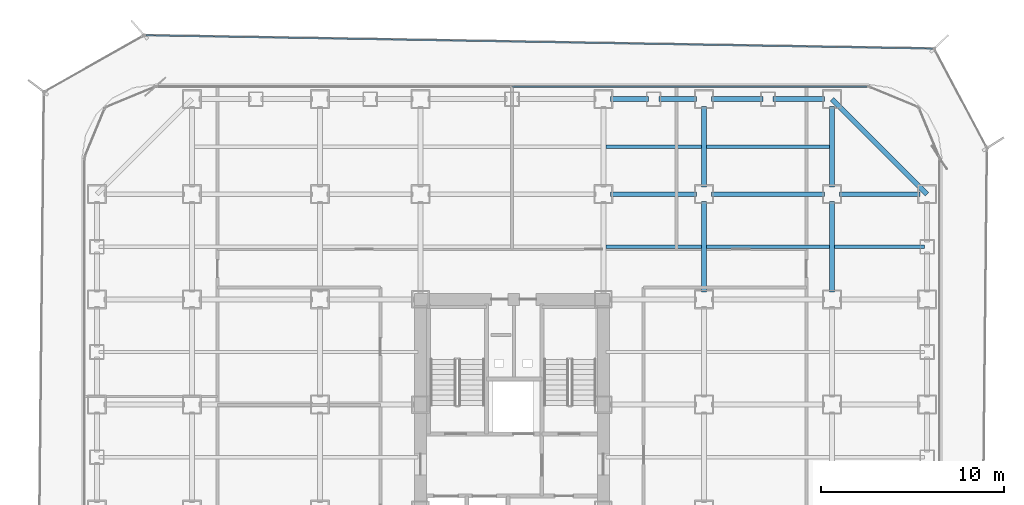
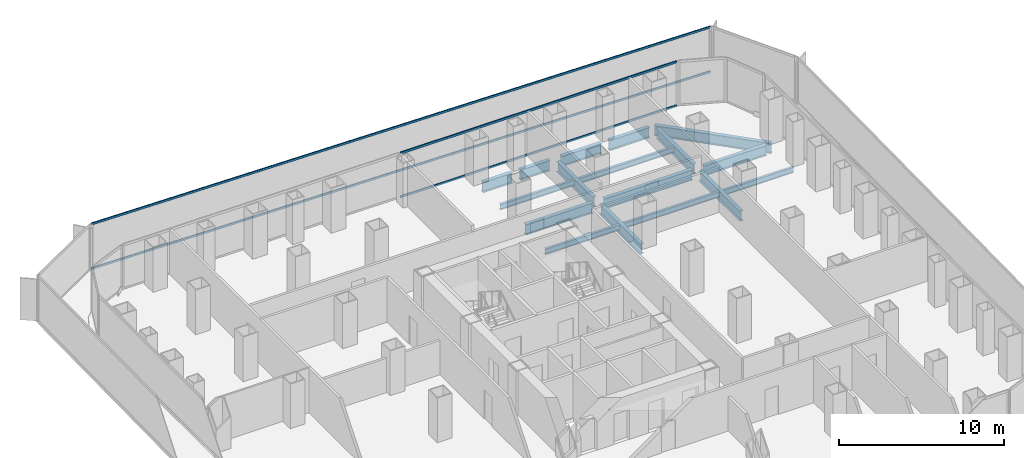
# One storey, part 14 of 21: 17 beams, 4 members, 2 elements without a shape of their own.
"""IFC4 building model written with IfcOpenShell, lengths in metres."""

from ifc_helpers import new_model, si_unit, direction, frame, origin, origin_2d, place, context, subcontext, project, spatial, hollow_rectangle, i_section, extrude, source, transform, mapped, material, layer, layer_set, material_profile, profile_set, type_object, element, aggregate, save


model = new_model("IFC4")

# Units and contexts
model_context = context("Model", 3, precision=1e-05, world=origin(), true_north=direction((0.0, 1.0)))
body_context = subcontext(model_context, "Body", "Model", "MODEL_VIEW")
ifc_project = project(units=[si_unit("LENGTHUNIT", "METRE"), si_unit("AREAUNIT", "SQUARE_METRE"), si_unit("VOLUMEUNIT", "CUBIC_METRE"), si_unit("PLANEANGLEUNIT", "RADIAN"), si_unit("MASSUNIT", "GRAM", prefix="KILO")], contexts=[model_context])

# Site, building, storey
site_placement = place(None, origin())
site = spatial("IfcSite", under=ifc_project, at=site_placement, CompositionType="ELEMENT")
building_placement = place(site_placement, origin())
building = spatial("IfcBuilding", under=site, at=building_placement, Name="Kolveth Station Tower", CompositionType="ELEMENT")
storey_placement = place(building_placement, frame((0.0, 0.0, 40.5)))
storey = spatial("IfcBuildingStorey", under=building, at=storey_placement, Name="L10", CompositionType="ELEMENT", Elevation=40.5)

# Beams
ifc_material_1 = material(Name="Steel S355", Category="steel")
ifc_material_profile_1 = material_profile(ifc_material_1, i_section(OverallWidth=0.26904296875, OverallDepth=0.77490234375, WebThickness=0.01708984375, FlangeThickness=0.0283203125, at=origin_2d()), Name="W760x220")
ifc_profile_set_1 = profile_set([ifc_material_profile_1], Name="Steel S355")
beam_type_1 = type_object("IfcBeamType", Name="Beam_SP1", PredefinedType="SPANDREL", material=ifc_profile_set_1)
shared_shape_1 = source(origin(), body_context, "Body", "SweptSolid", [
    extrude(i_section(OverallWidth=0.26904296875, OverallDepth=0.77490234375, WebThickness=0.01708984375, FlangeThickness=0.0283203125, at=origin_2d()), origin(), (0.0, 0.0, 1.0), 7.353759765625),
])
beam_1_placement = place(storey_placement, frame((46.199951171875, 34.5, -0.66748046875), z_axis=(-0.707106781187, 0.707106781187, 0.0), x_axis=(-0.707106781187, -0.707106781187, 0.0)))
element("IfcBeam", 1, at=beam_1_placement, inside=storey, type_object=beam_type_1, Name="L10 Corner Edge Girder BM-L10-CNR-NE", PredefinedType="SPANDREL", context=body_context, shape_type="MappedRepresentation", body=[
    mapped(shared_shape_1, transform((0.0, 0.0, 0.0), x_axis=(1.0, 0.0, 0.0), y_axis=(0.0, 1.0, 0.0), z_axis=(0.0, 0.0, 1.0), scale=1.0)),
])
shared_shape_2 = source(origin(), body_context, "Body", "SweptSolid", [
    extrude(i_section(OverallWidth=0.26904296875, OverallDepth=0.77490234375, WebThickness=0.01708984375, FlangeThickness=0.0283203125, at=origin_2d()), origin(), (0.0, 0.0, 1.0), 2.820068359375),
])
for number, where, z_axis, x_axis, name in (
    (2, (34.39990234375, 39.699951171875, -0.66748046875), (1.0, 0.0, 0.0), (0.0, 1.0, 0.0), "L10 Perimeter Spandrel BM-L10-PN-9"),
    (3, (37.780029296875, 39.699951171875, -0.66748046875), (1.0, 0.0, 0.0), (0.0, 1.0, 0.0), "L10 Perimeter Spandrel BM-L10-PN-10"),
):
    element("IfcBeam", number, at=place(storey_placement, frame(where, z_axis=z_axis, x_axis=x_axis)), inside=storey, type_object=beam_type_1, Name=name, PredefinedType="SPANDREL", context=body_context, shape_type="MappedRepresentation", body=[
        mapped(shared_shape_2, transform((0.0, 0.0, 0.0), x_axis=(1.0, 0.0, 0.0), y_axis=(0.0, 1.0, 0.0), z_axis=(0.0, 0.0, 1.0), scale=1.0)),
    ])
shared_shape_3 = source(origin(), body_context, "Body", "SweptSolid", [
    extrude(i_section(OverallWidth=0.26904296875, OverallDepth=0.77490234375, WebThickness=0.01708984375, FlangeThickness=0.0283203125, at=origin_2d()), origin(), (0.0, 0.0, 1.0), 2.070068359375),
])
for number, where, z_axis, x_axis, name in (
    (4, (28.89990234375, 39.699951171875, -0.66748046875), (1.0, 0.0, 0.0), (0.0, 1.0, 0.0), "L10 Perimeter Spandrel BM-L10-PN-7"),
    (5, (31.530029296875, 39.699951171875, -0.66748046875), (1.0, 0.0, 0.0), (0.0, 1.0, 0.0), "L10 Perimeter Spandrel BM-L10-PN-8"),
):
    element("IfcBeam", number, at=place(storey_placement, frame(where, z_axis=z_axis, x_axis=x_axis)), inside=storey, type_object=beam_type_1, Name=name, PredefinedType="SPANDREL", context=body_context, shape_type="MappedRepresentation", body=[
        mapped(shared_shape_3, transform((0.0, 0.0, 0.0), x_axis=(1.0, 0.0, 0.0), y_axis=(0.0, 1.0, 0.0), z_axis=(0.0, 0.0, 1.0), scale=1.0)),
    ])
ifc_material_profile_2 = material_profile(ifc_material_1, i_section(OverallWidth=0.26708984375, OverallDepth=0.76611328125, WebThickness=0.014892578125, FlangeThickness=0.023681640625, at=origin_2d()), Name="W760x185")
ifc_profile_set_2 = profile_set([ifc_material_profile_2], Name="Steel S355")
beam_type_2 = type_object("IfcBeamType", Name="Beam_B3", PredefinedType="BEAM", material=ifc_profile_set_2)
shared_shape_4 = source(origin(), body_context, "Body", "SweptSolid", [
    extrude(i_section(OverallWidth=0.26708984375, OverallDepth=0.76611328125, WebThickness=0.014892578125, FlangeThickness=0.023681640625, at=origin_2d()), origin(), (0.0, 0.0, 1.0), 4.400146484375),
])
for number, where, z_axis, x_axis, name in (
    (6, (41.39990234375, 34.5, -0.6630859375), (1.0, 0.0, 0.0), (0.0, 1.0, 0.0), "L10 Primary Girder BM-L10-GY345-7"),
    (7, (34.0, 34.89990234375, -0.6630859375), (0.0, 1.0, 0.0), (-1.0, 0.0, 0.0), "L10 Primary Girder BM-L10-GX340-7"),
    (8, (41.0, 34.89990234375, -0.6630859375), (0.0, 1.0, 0.0), (-1.0, 0.0, 0.0), "L10 Primary Girder BM-L10-GX410-7"),
):
    element("IfcBeam", number, at=place(storey_placement, frame(where, z_axis=z_axis, x_axis=x_axis)), inside=storey, type_object=beam_type_2, Name=name, PredefinedType="BEAM", context=body_context, shape_type="MappedRepresentation", body=[
        mapped(shared_shape_4, transform((0.0, 0.0, 0.0), x_axis=(1.0, 0.0, 0.0), y_axis=(0.0, 1.0, 0.0), z_axis=(0.0, 0.0, 1.0), scale=1.0)),
    ])
shared_shape_5 = source(origin(), body_context, "Body", "SweptSolid", [
    extrude(i_section(OverallWidth=0.26708984375, OverallDepth=0.76611328125, WebThickness=0.014892578125, FlangeThickness=0.023681640625, at=origin_2d()), origin(), (0.0, 0.0, 1.0), 6.2001953125),
])
beam_2_placement = place(storey_placement, frame((34.39990234375, 34.5, -0.6630859375), z_axis=(1.0, 0.0, 0.0), x_axis=(0.0, 1.0, 0.0)))
element("IfcBeam", 9, at=beam_2_placement, inside=storey, type_object=beam_type_2, Name="L10 Primary Girder BM-L10-GY345-6", PredefinedType="BEAM", context=body_context, shape_type="MappedRepresentation", body=[
    mapped(shared_shape_5, transform((0.0, 0.0, 0.0), x_axis=(1.0, 0.0, 0.0), y_axis=(0.0, 1.0, 0.0), z_axis=(0.0, 0.0, 1.0), scale=1.0)),
])
shared_shape_6 = source(origin(), body_context, "Body", "SweptSolid", [
    extrude(i_section(OverallWidth=0.26708984375, OverallDepth=0.76611328125, WebThickness=0.014892578125, FlangeThickness=0.023681640625, at=origin_2d()), origin(), (0.0, 0.0, 1.0), 4.7001953125),
])
beam_3_placement = place(storey_placement, frame((28.89990234375, 34.5, -0.6630859375), z_axis=(1.0, 0.0, 0.0), x_axis=(0.0, 1.0, 0.0)))
element("IfcBeam", 10, at=beam_3_placement, inside=storey, type_object=beam_type_2, Name="L10 Primary Girder BM-L10-GY345-5", PredefinedType="BEAM", context=body_context, shape_type="MappedRepresentation", body=[
    mapped(shared_shape_6, transform((0.0, 0.0, 0.0), x_axis=(1.0, 0.0, 0.0), y_axis=(0.0, 1.0, 0.0), z_axis=(0.0, 0.0, 1.0), scale=1.0)),
])
shared_shape_7 = source(origin(), body_context, "Body", "SweptSolid", [
    extrude(i_section(OverallWidth=0.26708984375, OverallDepth=0.76611328125, WebThickness=0.014892578125, FlangeThickness=0.023681640625, at=origin_2d()), origin(), (0.0, 0.0, 1.0), 4.9501953125),
])
for number, where, z_axis, x_axis, name in (
    (11, (34.0, 29.14990234375, -0.6630859375), (0.0, 1.0, 0.0), (-1.0, 0.0, 0.0), "L10 Primary Girder BM-L10-GX340-6"),
    (12, (41.0, 29.14990234375, -0.6630859375), (0.0, 1.0, 0.0), (-1.0, 0.0, 0.0), "L10 Primary Girder BM-L10-GX410-6"),
):
    element("IfcBeam", number, at=place(storey_placement, frame(where, z_axis=z_axis, x_axis=x_axis)), inside=storey, type_object=beam_type_2, Name=name, PredefinedType="BEAM", context=body_context, shape_type="MappedRepresentation", body=[
        mapped(shared_shape_7, transform((0.0, 0.0, 0.0), x_axis=(1.0, 0.0, 0.0), y_axis=(0.0, 1.0, 0.0), z_axis=(0.0, 0.0, 1.0), scale=1.0)),
    ])
ifc_material_profile_3 = material_profile(ifc_material_1, i_section(OverallWidth=0.177978515625, OverallDepth=0.406982421875, WebThickness=0.0078125, FlangeThickness=0.0126953125, at=origin_2d()), Name="W410x60")
ifc_profile_set_3 = profile_set([ifc_material_profile_3], Name="Steel S355")
beam_type_3 = type_object("IfcBeamType", Name="Beam_J1", PredefinedType="JOIST", material=ifc_profile_set_3)
shared_shape_8 = source(origin(), body_context, "Body", "SweptSolid", [
    extrude(i_section(OverallWidth=0.177978515625, OverallDepth=0.406982421875, WebThickness=0.0078125, FlangeThickness=0.0126953125, at=origin_2d()), origin(), (0.0, 0.0, 1.0), 4.935791015625),
])
beam_4_placement = place(storey_placement, frame((41.131591796875, 31.625, -0.4833984375), z_axis=(1.0, 0.0, 0.0), x_axis=(0.0, 1.0, 0.0)))
element("IfcBeam", 13, at=beam_4_placement, inside=storey, type_object=beam_type_3, Name="L10 Secondary Joist JST-L10-7-6", PredefinedType="JOIST", context=body_context, shape_type="MappedRepresentation", body=[
    mapped(shared_shape_8, transform((0.0, 0.0, 0.0), x_axis=(1.0, 0.0, 0.0), y_axis=(0.0, 1.0, 0.0), z_axis=(0.0, 0.0, 1.0), scale=1.0)),
])
shared_shape_9 = source(origin(), body_context, "Body", "SweptSolid", [
    extrude(i_section(OverallWidth=0.177978515625, OverallDepth=0.406982421875, WebThickness=0.0078125, FlangeThickness=0.0126953125, at=origin_2d()), origin(), (0.0, 0.0, 1.0), 6.73681640625),
])
for number, where, z_axis, x_axis, name in (
    (14, (34.131591796875, 31.625, -0.4833984375), (1.0, 0.0, 0.0), (0.0, 1.0, 0.0), "L10 Secondary Joist JST-L10-6-6"),
    (15, (34.131591796875, 37.10009765625, -0.4833984375), (1.0, 0.0, 0.0), (0.0, 1.0, 0.0), "L10 Secondary Joist JST-L10-6-7"),
):
    element("IfcBeam", number, at=place(storey_placement, frame(where, z_axis=z_axis, x_axis=x_axis)), inside=storey, type_object=beam_type_3, Name=name, PredefinedType="JOIST", context=body_context, shape_type="MappedRepresentation", body=[
        mapped(shared_shape_9, transform((0.0, 0.0, 0.0), x_axis=(1.0, 0.0, 0.0), y_axis=(0.0, 1.0, 0.0), z_axis=(0.0, 0.0, 1.0), scale=1.0)),
    ])
shared_shape_10 = source(origin(), body_context, "Body", "SweptSolid", [
    extrude(i_section(OverallWidth=0.177978515625, OverallDepth=0.406982421875, WebThickness=0.0078125, FlangeThickness=0.0126953125, at=origin_2d()), origin(), (0.0, 0.0, 1.0), 5.23681640625),
])
for number, where, z_axis, x_axis, name in (
    (16, (28.631591796875, 31.625, -0.4833984375), (1.0, 0.0, 0.0), (0.0, 1.0, 0.0), "L10 Secondary Joist JST-L10-5-6"),
    (17, (28.631591796875, 37.10009765625, -0.4833984375), (1.0, 0.0, 0.0), (0.0, 1.0, 0.0), "L10 Secondary Joist JST-L10-5-7"),
):
    element("IfcBeam", number, at=place(storey_placement, frame(where, z_axis=z_axis, x_axis=x_axis)), inside=storey, type_object=beam_type_3, Name=name, PredefinedType="JOIST", context=body_context, shape_type="MappedRepresentation", body=[
        mapped(shared_shape_10, transform((0.0, 0.0, 0.0), x_axis=(1.0, 0.0, 0.0), y_axis=(0.0, 1.0, 0.0), z_axis=(0.0, 0.0, 1.0), scale=1.0)),
    ])

# Curtain wall, members
ifc_material_2 = material(Name="Aluminium 6063-T6 and low-E dark glass", Category="aluminium")
ifc_layer_1 = layer(ifc_material_2, 0.179931640625)
ifc_layer_set_1 = layer_set([ifc_layer_1], Name="Aluminium 6063-T6 and low-E dark glass")
curtain_wall_type_1 = type_object("IfcCurtainWallType", Name="CurtainWall_CW-Z1", PredefinedType="NOTDEFINED", material=ifc_layer_set_1)
curtain_wall_1_placement = place(storey_placement, origin())
curtain_wall_1 = element("IfcCurtainWall", 18, at=curtain_wall_1_placement, inside=storey, type_object=curtain_wall_type_1, Name="L10 Inner Thermal Curtain Wall 6", PredefinedType="NOTDEFINED")
ifc_material_3 = material(Name="Black anodized aluminium 6063-T6", Category="aluminium")
ifc_material_profile_4 = material_profile(ifc_material_3, hollow_rectangle(XDim=0.074951171875, YDim=0.159912109375, WallThickness=0.0048828125, at=origin_2d()), Name="ALU-75x160x5")
ifc_profile_set_4 = profile_set([ifc_material_profile_4], Name="Black anodized aluminium 6063-T6")
member_type_1 = type_object("IfcMemberType", Name="Transom_TR1", PredefinedType="USERDEFINED", material=ifc_profile_set_4)
shared_shape_11 = source(origin(), body_context, "Body", "SweptSolid", [
    extrude(hollow_rectangle(XDim=0.074951171875, YDim=0.159912109375, WallThickness=0.0048828125, at=origin_2d()), origin(), (0.0, 0.0, 1.0), 19.387451171875),
])
member_1_placement = place(storey_placement, frame((42.925048828125, 40.3798828125, 0.03759765625), z_axis=(-1.0, 0.0, 0.0), x_axis=(0.0, -1.0, 0.0)))
member_1 = element("IfcMember", 19, at=member_1_placement, type_object=member_type_1, Name="CW-Z1 transom 1.1", ObjectType="TRANSOM", PredefinedType="USERDEFINED", context=body_context, shape_type="MappedRepresentation", body=[
    mapped(shared_shape_11, transform((0.0, 0.0, 0.0), x_axis=(1.0, 0.0, 0.0), y_axis=(0.0, 1.0, 0.0), z_axis=(0.0, 0.0, 1.0), scale=1.0)),
])
member_2_placement = place(storey_placement, frame((42.925048828125, 40.3798828125, 3.282470703125), z_axis=(-1.0, 0.0, 0.0), x_axis=(0.0, -1.0, 0.0)))
member_2 = element("IfcMember", 20, at=member_2_placement, type_object=member_type_1, Name="CW-Z1 transom 1.2", ObjectType="TRANSOM", PredefinedType="USERDEFINED", context=body_context, shape_type="MappedRepresentation", body=[
    mapped(shared_shape_11, transform((0.0, 0.0, 0.0), x_axis=(1.0, 0.0, 0.0), y_axis=(0.0, 1.0, 0.0), z_axis=(0.0, 0.0, 1.0), scale=1.0)),
])
aggregate(curtain_wall_1, [member_1, member_2])

ifc_material_4 = material(Name="Black anodized aluminium 6063-T6 and dark solar glass", Category="aluminium")
ifc_layer_2 = layer(ifc_material_4, 0.159912109375)
ifc_layer_set_2 = layer_set([ifc_layer_2], Name="Black anodized aluminium 6063-T6 and dark solar glass")
curtain_wall_type_2 = type_object("IfcCurtainWallType", Name="OUTER SKIN CW-OS", PredefinedType="NOTDEFINED", material=ifc_layer_set_2)
curtain_wall_2_placement = place(storey_placement, origin())
curtain_wall_2 = element("IfcCurtainWall", 21, at=curtain_wall_2_placement, inside=storey, type_object=curtain_wall_type_2, Name="L10 Outer Ventilated Skin Curtain Wall 4", PredefinedType="NOTDEFINED")
ifc_material_profile_5 = material_profile(ifc_material_3, hollow_rectangle(XDim=0.080078125, YDim=0.14990234375, WallThickness=0.0048828125, at=origin_2d()), Name="ALU-80x150x5")
ifc_profile_set_5 = profile_set([ifc_material_profile_5], Name="Black anodized aluminium 6063-T6")
member_type_2 = type_object("IfcMemberType", Name="Transom_TR-OS", PredefinedType="USERDEFINED", material=ifc_profile_set_5)
shared_shape_12 = source(origin(), body_context, "Body", "SweptSolid", [
    extrude(hollow_rectangle(XDim=0.080078125, YDim=0.14990234375, WallThickness=0.0048828125, at=origin_2d()), origin(), (0.0, 0.0, 1.0), 43.016845703125),
])
member_3_placement = place(storey_placement, frame((46.494873046875, 42.4609375, 0.0400390625), z_axis=(-0.999857829688, 0.016861803306, 0.0), x_axis=(-0.016861803306, -0.999857829688, 0.0)))
member_3 = element("IfcMember", 22, at=member_3_placement, type_object=member_type_2, Name="CW-OS transom 1.1", ObjectType="TRANSOM", PredefinedType="USERDEFINED", context=body_context, shape_type="MappedRepresentation", body=[
    mapped(shared_shape_12, transform((0.0, 0.0, 0.0), x_axis=(1.0, 0.0, 0.0), y_axis=(0.0, 1.0, 0.0), z_axis=(0.0, 0.0, 1.0), scale=1.0)),
])
member_4_placement = place(storey_placement, frame((46.494873046875, 42.4609375, 3.35009765625), z_axis=(-0.999857829688, 0.016861803306, 0.0), x_axis=(-0.016861803306, -0.999857829688, 0.0)))
member_4 = element("IfcMember", 23, at=member_4_placement, type_object=member_type_2, Name="CW-OS transom 1.2", ObjectType="TRANSOM", PredefinedType="USERDEFINED", context=body_context, shape_type="MappedRepresentation", body=[
    mapped(shared_shape_12, transform((0.0, 0.0, 0.0), x_axis=(1.0, 0.0, 0.0), y_axis=(0.0, 1.0, 0.0), z_axis=(0.0, 0.0, 1.0), scale=1.0)),
])
aggregate(curtain_wall_2, [member_3, member_4])

save(model, "model.ifc")
